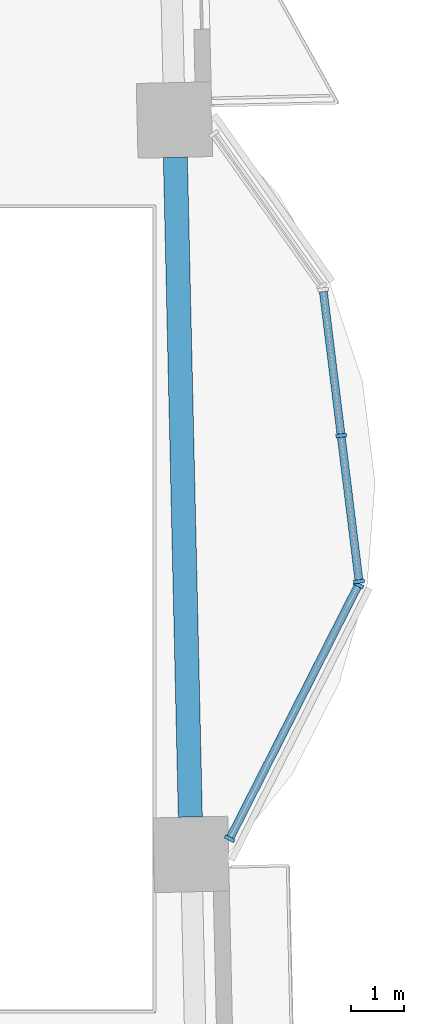
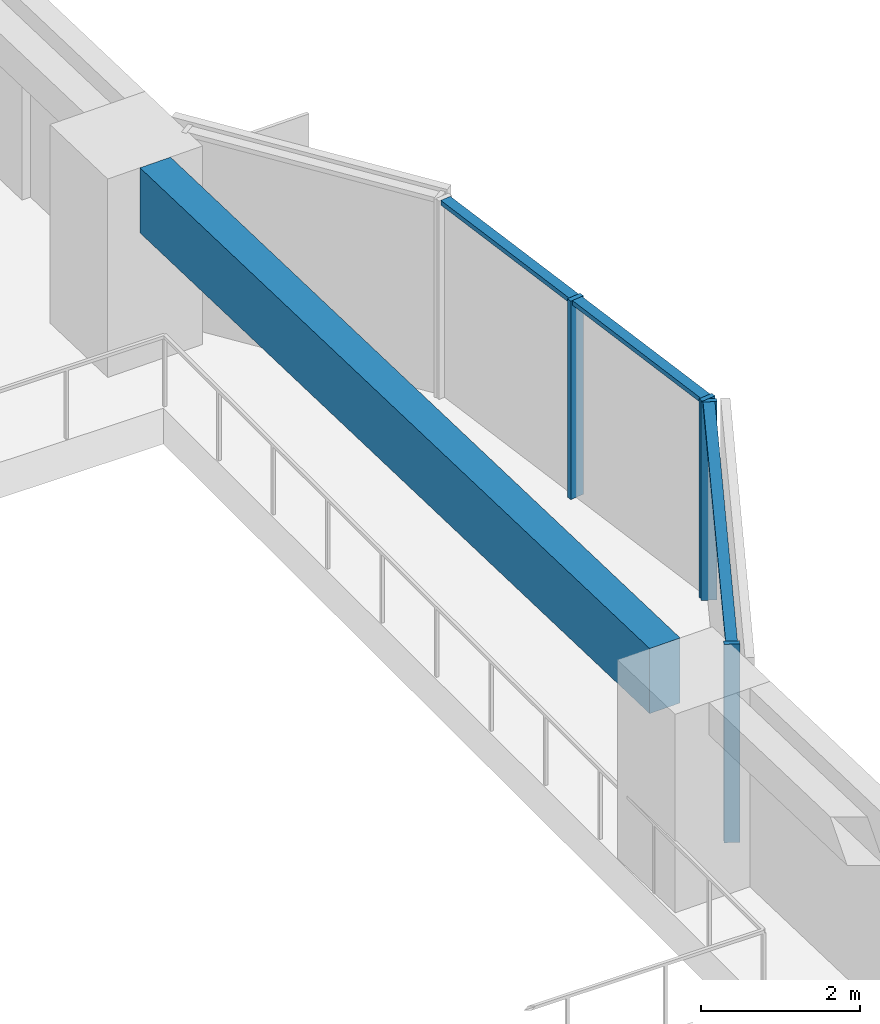
# One storey, part 2 of 17: 7 members, 1 beam, 2 elements without a shape of their own.
"""IFC4 building model written with IfcOpenShell, lengths in metres."""

from ifc_helpers import new_model, si_unit, direction, frame, origin, origin_2d, place, context, subcontext, project, spatial, rectangle, extrude, material, material_profile, profile_set, type_object, element, aggregate, save


model = new_model("IFC4")

# Units and contexts
model_context = context("Model", 3, precision=1e-05, world=origin(), true_north=direction((0.0, 1.0)))
body_context = subcontext(model_context, "Body", "Model", "MODEL_VIEW")
ifc_project = project(units=[si_unit("LENGTHUNIT", "METRE"), si_unit("AREAUNIT", "SQUARE_METRE"), si_unit("VOLUMEUNIT", "CUBIC_METRE"), si_unit("PLANEANGLEUNIT", "RADIAN"), si_unit("MASSUNIT", "GRAM", prefix="KILO")], contexts=[model_context])

# Site, building, storey
site_placement = place(None, origin())
site = spatial("IfcSite", under=ifc_project, at=site_placement, CompositionType="ELEMENT")
building_placement = place(site_placement, origin())
building = spatial("IfcBuilding", under=site, at=building_placement, Name="Mangrove Gate Tower", CompositionType="ELEMENT")
storey_placement = place(building_placement, frame((0.0, 0.0, 90.10009765625)))
storey = spatial("IfcBuildingStorey", under=building, at=storey_placement, Name="L22", CompositionType="ELEMENT", Elevation=90.10009765625)

# Curtain wall, members
ifc_material_1 = material(Name="Aluminium and glass curtain wall", Category="aluminium")
curtain_wall_type = type_object("IfcCurtainWallType", Name="Atrium garden-court glazing wall", PredefinedType="NOTDEFINED", material=ifc_material_1)
curtain_wall_1_placement = place(storey_placement, origin())
curtain_wall_1 = element("IfcCurtainWall", 1, at=curtain_wall_1_placement, inside=storey, type_object=curtain_wall_type, Name="Atrium garden-court glazing E1f1", PredefinedType="NOTDEFINED")
ifc_material_2 = material(Name="Aluminium alloy 6063-T6", Category="aluminium")
ifc_material_profile_1 = material_profile(ifc_material_2, rectangle(XDim=0.070068359375, YDim=0.199951171875, at=origin_2d()))
ifc_profile_set_1 = profile_set([ifc_material_profile_1], Name="Aluminium alloy 6063-T6")
member_type_1 = type_object("IfcMemberType", Name="Atrium garden-court glazing mullion 70x200", PredefinedType="MULLION", material=ifc_profile_set_1)
member_1_placement = place(storey_placement, frame((30.105224609375, -4.3037109375, 0.0), z_axis=(0.0, 0.0, 1.0), x_axis=(0.452580762064, 0.891723417776, 0.0)))
member_1 = element("IfcMember", 2, at=member_1_placement, type_object=member_type_1, Name="CWA mullion 1", PredefinedType="MULLION", context=body_context, shape_type="SweptSolid", body=[
    extrude(rectangle(XDim=0.070068359375, YDim=0.199951171875, at=origin_2d()), origin(), (0.0, 0.0, 1.0), 3.0498046875),
])
member_2_placement = place(storey_placement, frame((32.516357421875, 0.44677734375, 0.0), z_axis=(0.0, 0.0, 1.0), x_axis=(0.452580762064, 0.891723417776, 0.0)))
member_2 = element("IfcMember", 3, at=member_2_placement, type_object=member_type_1, Name="CWA mullion 2", PredefinedType="MULLION", context=body_context, shape_type="SweptSolid", body=[
    extrude(rectangle(XDim=0.070068359375, YDim=0.199951171875, at=origin_2d()), origin(), (0.0, 0.0, 1.0), 3.0498046875),
])

curtain_wall_2_placement = place(storey_placement, origin())
curtain_wall_2 = element("IfcCurtainWall", 4, at=curtain_wall_2_placement, inside=storey, type_object=curtain_wall_type, Name="Atrium garden-court glazing E1f2", PredefinedType="NOTDEFINED")
member_3_placement = place(storey_placement, frame((32.528076171875, 0.512939453125, 0.0), z_axis=(0.0, 0.0, 1.0), x_axis=(-0.122172286076, 0.992508908028, 0.0)))
member_3 = element("IfcMember", 5, at=member_3_placement, type_object=member_type_1, Name="CWA mullion 1", PredefinedType="MULLION", context=body_context, shape_type="SweptSolid", body=[
    extrude(rectangle(XDim=0.070068359375, YDim=0.199951171875, at=origin_2d()), origin(), (0.0, 0.0, 1.0), 3.0498046875),
])
member_4_placement = place(storey_placement, frame((32.19189453125, 3.243896484375, 0.0), z_axis=(0.0, 0.0, 1.0), x_axis=(-0.122172286076, 0.992508908028, 0.0)))
member_4 = element("IfcMember", 6, at=member_4_placement, type_object=member_type_1, Name="CWA mullion 2", PredefinedType="MULLION", context=body_context, shape_type="SweptSolid", body=[
    extrude(rectangle(XDim=0.070068359375, YDim=0.199951171875, at=origin_2d()), origin(), (0.0, 0.0, 1.0), 3.0498046875),
])

# Member
ifc_material_3 = material(Name="Aluminium alloy 6063-T6", Category="aluminium")
ifc_material_profile_2 = material_profile(ifc_material_3, rectangle(XDim=0.070068359375, YDim=0.14990234375, at=origin_2d()))
ifc_profile_set_2 = profile_set([ifc_material_profile_2], Name="Aluminium alloy 6063-T6")
member_type_2 = type_object("IfcMemberType", Name="Atrium garden-court glazing transom 70x150", PredefinedType="USERDEFINED", material=ifc_profile_set_2)
member_5_placement = place(storey_placement, frame((30.12109375, -4.2724609375, 3.014892578125), z_axis=(0.452573642037, 0.891727031402, 0.0), x_axis=(0.0, 0.0, 1.0)))
member_5 = element("IfcMember", 7, at=member_5_placement, type_object=member_type_2, Name="CWA transom 1.2", ObjectType="TRANSOM", PredefinedType="USERDEFINED", context=body_context, shape_type="SweptSolid", body=[
    extrude(rectangle(XDim=0.070068359375, YDim=0.14990234375, at=origin_2d()), origin(), (0.0, 0.0, 1.0), 5.257568359375),
])

aggregate(curtain_wall_1, [member_1, member_2, member_5])

member_6_placement = place(storey_placement, frame((32.523681640625, 0.547607421875, 3.014892578125), z_axis=(-0.122174517154, 0.992508633392, 0.0), x_axis=(0.0, 0.0, 1.0)))
member_6 = element("IfcMember", 8, at=member_6_placement, type_object=member_type_2, Name="CWA transom 1.2", ObjectType="TRANSOM", PredefinedType="USERDEFINED", context=body_context, shape_type="SweptSolid", body=[
    extrude(rectangle(XDim=0.070068359375, YDim=0.14990234375, at=origin_2d()), origin(), (0.0, 0.0, 1.0), 2.681640625),
])

member_7_placement = place(storey_placement, frame((32.1875, 3.27880859375, 3.014892578125), z_axis=(-0.122174517154, 0.992508633392, 0.0), x_axis=(0.0, 0.0, 1.0)))
member_7 = element("IfcMember", 9, at=member_7_placement, type_object=member_type_2, Name="CWA transom 2.2", ObjectType="TRANSOM", PredefinedType="USERDEFINED", context=body_context, shape_type="SweptSolid", body=[
    extrude(rectangle(XDim=0.070068359375, YDim=0.14990234375, at=origin_2d()), origin(), (0.0, 0.0, 1.0), 2.681640625),
])

aggregate(curtain_wall_2, [member_3, member_4, member_6, member_7])

# Beam
ifc_material_4 = material(Name="Concrete C50/60", Category="concrete")
ifc_material_profile_3 = material_profile(ifc_material_4, rectangle(XDim=0.449951171875, YDim=1.0, at=origin_2d()))
ifc_profile_set_3 = profile_set([ifc_material_profile_3], Name="Concrete C50/60")
beam_type = type_object("IfcBeamType", Name="Edge beam RC 450x1000 C50/60", PredefinedType="BEAM", material=ifc_profile_set_3)
beam_placement = place(storey_placement, frame((29.369384765625, -3.89697265625, 2.5498046875), z_axis=(-0.022693564937, 0.999742467894, 0.0), x_axis=(-0.999742467894, -0.022693564937, 0.0)))
element("IfcBeam", 10, at=beam_placement, inside=storey, type_object=beam_type, Name="Edge beam L22 15", PredefinedType="BEAM", context=body_context, shape_type="SweptSolid", body=[
    extrude(rectangle(XDim=0.449951171875, YDim=1.0, at=origin_2d()), origin(), (0.0, 0.0, 1.0), 12.350341796875),
])

save(model, "model.ifc")
